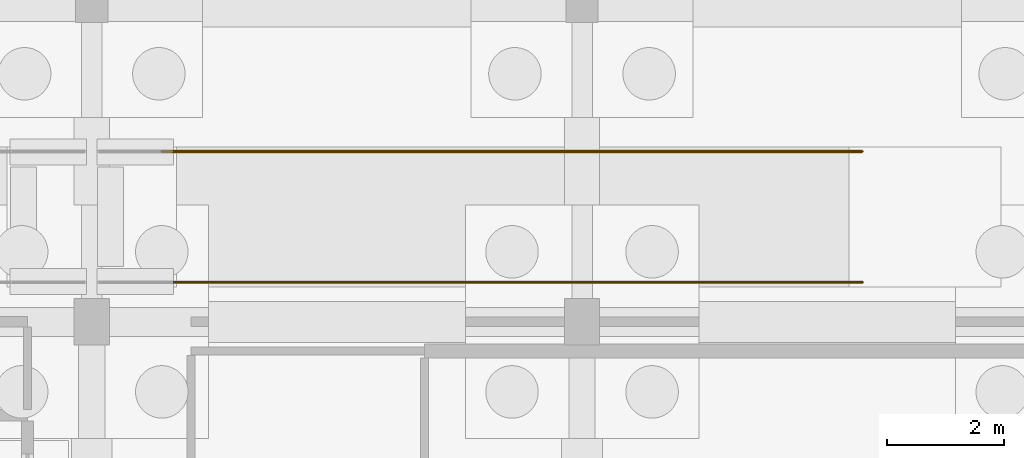
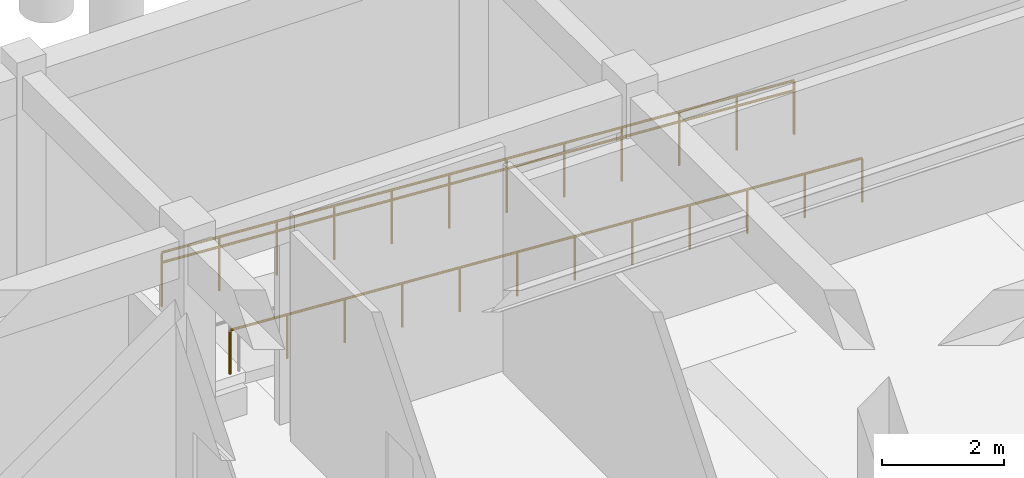
# One storey, part 47 of 49: 3 railings.
"""IFC4 building model written with IfcOpenShell, lengths in metres."""

import ifcopenshell
import ifcopenshell.guid

model = None  # the IFC model being written
_history = None  # IfcOwnerHistory: only IFC2X3 demands one
_inside = {}  # id of a spatial element -> (the spatial element, [elements in it])
_under = {}  # id of a project, library or spatial element -> (it, [spatial elements below it])
_declared = {}  # id of a project -> (the project, [libraries it declares])
_typed = {}  # id of a type object -> (the type object, [elements of that type])
_made_of = {}  # id of a material, layer set ... -> (it, [elements and type objects made of it])


def new_model(schema):
    """Start an empty IFC model of exactly this schema.

    Asked for "IFC4X3", IfcOpenShell would pick the latest addendum, in which some entities
    have other attributes; the version numbers below select the first issue.
    IFC2X3 requires an IfcOwnerHistory on every rooted entity: one is made here for all.
    """
    global model, _history
    if schema == "IFC4X3":
        model = ifcopenshell.file(schema_version=(4, 3, 0, 0))
    else:
        model = ifcopenshell.file(schema=schema)
    _inside.clear()
    _under.clear()
    _declared.clear()
    _typed.clear()
    _made_of.clear()
    _history = None
    if model.schema == "IFC2X3":
        org = make("IfcOrganization", Name="unknown")
        user = make(
            "IfcPersonAndOrganization",
            ThePerson=make("IfcPerson", FamilyName="unknown"),
            TheOrganization=org,
        )
        app = make(
            "IfcApplication",
            ApplicationDeveloper=org,
            Version="unknown",
            ApplicationFullName="unknown",
            ApplicationIdentifier="unknown",
        )
        _history = make(
            "IfcOwnerHistory",
            OwningUser=user,
            OwningApplication=app,
            ChangeAction="ADDED",
            CreationDate=0,
        )
    return model


def make(cls, **values):
    """One entity of the class cls with the attributes given. An attribute that is None is left unset."""
    return model.create_entity(
        cls, **{name: value for name, value in values.items() if value is not None}
    )


def rooted(cls, **values):
    """An entity with a GlobalId (a new one), such as an element, a storey or a relation."""
    return make(cls, GlobalId=ifcopenshell.guid.new(), OwnerHistory=_history, **values)


def si_unit(unit_type, name, prefix=None):
    """IfcSIUnit, for example si_unit("LENGTHUNIT", "METRE", prefix="MILLI")."""
    return make("IfcSIUnit", UnitType=unit_type, Prefix=prefix, Name=name)


def assignment(units):
    """IfcUnitAssignment: the units of a project."""
    return None if units is None else make("IfcUnitAssignment", Units=units)


def point(xyz):
    """IfcCartesianPoint."""
    return None if xyz is None else make("IfcCartesianPoint", Coordinates=xyz)


def direction(xyz):
    """IfcDirection."""
    return None if xyz is None else make("IfcDirection", DirectionRatios=xyz)


def frame(location, z_axis=None, x_axis=None):
    """IfcAxis2Placement3D, a coordinate frame: its origin and axes. An axis left out is left unset."""
    return make(
        "IfcAxis2Placement3D",
        Location=point(location),
        Axis=direction(z_axis),
        RefDirection=direction(x_axis),
    )


def frame_2d(location, x_axis=None):
    """IfcAxis2Placement2D, a coordinate frame in the plane: its origin and x axis."""
    return make(
        "IfcAxis2Placement2D", Location=point(location), RefDirection=direction(x_axis)
    )


def origin():
    """The frame at (0, 0, 0) with its axes left unset."""
    return frame((0.0, 0.0, 0.0))


def origin_2d():
    """The frame at (0, 0) in the plane with its x axis left unset."""
    return frame_2d((0.0, 0.0))


def place(relative_to, where):
    """IfcLocalPlacement: puts the frame where relative to a parent placement (None: the world)."""
    return make(
        "IfcLocalPlacement", PlacementRelTo=relative_to, RelativePlacement=where
    )


def context(
    kind, dimensions, precision=None, world=None, true_north=None, identifier=None
):
    """IfcGeometricRepresentationContext, for example the 3D "Model" context."""
    return make(
        "IfcGeometricRepresentationContext",
        ContextIdentifier=identifier,
        ContextType=kind,
        CoordinateSpaceDimension=dimensions,
        Precision=precision,
        WorldCoordinateSystem=world,
        TrueNorth=true_north,
    )


def subcontext(parent, identifier, kind, view, scale=None):
    """IfcGeometricRepresentationSubContext, for example "Body" below "Model"."""
    return make(
        "IfcGeometricRepresentationSubContext",
        ContextIdentifier=identifier,
        ContextType=kind,
        ParentContext=parent,
        TargetScale=scale,
        TargetView=view,
    )


def project(units=None, contexts=None):
    """IfcProject with its units and contexts."""
    return rooted(
        "IfcProject",
        Name="project",
        RepresentationContexts=contexts,
        UnitsInContext=assignment(units),
    )


def spatial(cls, under=None, at=None, **own):
    """A site, building, storey or space (cls), placed at a placement, below another one or the project."""
    s = rooted(cls, ObjectPlacement=at, **own)
    if under is not None:
        _under.setdefault(under.id(), (under, []))[1].append(s)
    return s


def profile(cls, at=None, kind="AREA", **sizes):
    """A parametric profile (cls). Its sizes go by their IFC names, for example OverallWidth=200.0."""
    return make(cls, ProfileType=kind, Position=at, **sizes)


def circle(**sizes):
    """IfcCircleProfileDef."""
    return profile("IfcCircleProfileDef", **sizes)


def extrude(swept, where, along, depth):
    """IfcExtrudedAreaSolid: the profile swept, set in the frame where, extruded along a direction by depth."""
    return make(
        "IfcExtrudedAreaSolid",
        SweptArea=swept,
        Position=where,
        ExtrudedDirection=direction(along),
        Depth=depth,
    )


def shape(context_of_items, identifier, shape_type, items):
    """IfcShapeRepresentation: the items that make up one representation, for example the "Body"."""
    return make(
        "IfcShapeRepresentation",
        ContextOfItems=context_of_items,
        RepresentationIdentifier=identifier,
        RepresentationType=shape_type,
        Items=items,
    )


def material(Name=None, Category=None):
    """IfcMaterial."""
    return make("IfcMaterial", Name=Name, Category=Category)


def made_of(thing, what):
    """Note that an element or type object is made of a material, layer set ...; save() writes the relation."""
    if what is not None:
        _made_of.setdefault(what.id(), (what, []))[1].append(thing)
    return thing


def type_object(cls, material=None, **own):
    """A type object (cls), such as IfcWallType, which elements share."""
    return made_of(rooted(cls, **own), material)


def element(
    cls,
    number,
    at=None,
    inside=None,
    cuts=None,
    type_object=None,
    material=None,
    context=None,
    identifier="Body",
    shape_type=None,
    held_by="IfcProductDefinitionShape",
    body=None,
    shapes=None,
    **own,
):
    """One element of the class cls, such as IfcWall. Its Tag is "e" and its number.

    at: its placement. inside: the storey or other place that contains it. cuts: it is an
    opening in that element (IfcRelVoidsElement). A single representation is given by context,
    identifier, shape_type and body (its items); several are given by shapes. held_by: the class
    of the entity that holds the representations. save() writes the other relations.
    """
    e = rooted(cls, Tag="e%d" % number, ObjectPlacement=at, **own)
    if body is not None:
        shapes = [shape(context, identifier, shape_type, body)]
    if shapes is not None:
        e.Representation = make(held_by, Representations=shapes)
    if inside is not None:
        _inside.setdefault(inside.id(), (inside, []))[1].append(e)
    if cuts is not None:
        rooted(
            "IfcRelVoidsElement", RelatingBuildingElement=cuts, RelatedOpeningElement=e
        )
    if type_object is not None:
        _typed.setdefault(type_object.id(), (type_object, []))[1].append(e)
    return made_of(e, material)


def aggregate(whole, parts):
    """IfcRelAggregates: a whole, such as a stair, and the parts it consists of."""
    return rooted("IfcRelAggregates", RelatingObject=whole, RelatedObjects=parts)


def save(model, path):
    """Write the relations noted so far, then the file.

    IfcRelAggregates (storeys below a building ...), IfcRelContainedInSpatialStructure (elements
    in a storey), IfcRelDefinesByType, IfcRelAssociatesMaterial and IfcRelDeclares: one each for
    every whole, place, type object, material and project.
    """
    for whole, parts in _under.values():
        aggregate(whole, parts)
    for where, things in _inside.values():
        rooted(
            "IfcRelContainedInSpatialStructure",
            RelatedElements=things,
            RelatingStructure=where,
        )
    for kind, things in _typed.values():
        rooted("IfcRelDefinesByType", RelatedObjects=things, RelatingType=kind)
    for what, things in _made_of.values():
        rooted("IfcRelAssociatesMaterial", RelatedObjects=things, RelatingMaterial=what)
    for by, libraries in _declared.values():
        rooted("IfcRelDeclares", RelatingContext=by, RelatedDefinitions=libraries)
    model.write(path)


model = new_model("IFC4")

# Units and contexts
model_context = context("Model", 3, precision=1e-05, world=origin(), true_north=direction((0.0, 1.0)))
body_context = subcontext(model_context, "Body", "Model", "MODEL_VIEW")
ifc_project = project(units=[si_unit("LENGTHUNIT", "METRE"), si_unit("AREAUNIT", "SQUARE_METRE"), si_unit("VOLUMEUNIT", "CUBIC_METRE"), si_unit("PLANEANGLEUNIT", "RADIAN"), si_unit("MASSUNIT", "GRAM", prefix="KILO")], contexts=[model_context])

# Site, building, storey
site_placement = place(None, origin())
site = spatial("IfcSite", under=ifc_project, at=site_placement, CompositionType="ELEMENT")
building_placement = place(site_placement, origin())
building = spatial("IfcBuilding", under=site, at=building_placement, Name="Krzemoval Escarpment Law Courts", CompositionType="ELEMENT")
storey_placement = place(building_placement, frame((0.0, 0.0, -4.800048828125)))
storey = spatial("IfcBuildingStorey", under=building, at=storey_placement, Name="B1", CompositionType="ELEMENT", Elevation=-4.800048828125)

# Railings
ifc_material_1 = material(Name="Galvanised Steel S355", Category="steel")
railing_type_1 = type_object("IfcRailingType", Name="RL-GRD-1100", PredefinedType="GUARDRAIL", material=ifc_material_1)
railing_1_placement = place(storey_placement, frame((118.800048828125, 38.320068359375, 0.75)))
element("IfcRailing", 1, at=railing_1_placement, inside=storey, type_object=railing_type_1, Name="Ramp Guardrail RG-B1-10", PredefinedType="GUARDRAIL", context=body_context, shape_type="SweptSolid", body=[
    extrude(circle(Radius=0.02392578125, at=origin_2d()), frame((0.0, 0.0, 1.076171875), z_axis=(0.998052578483, 0.0, -0.062378286155), x_axis=(0.0, 1.0, 0.0)), (0.0, 0.0, 1.0), 12.0234375),
    extrude(circle(Radius=0.02099609375, at=origin_2d()), origin(), (0.0, 0.0, 1.0), 1.052001953125),
    extrude(circle(Radius=0.02099609375, at=origin_2d()), frame((1.0908203125, 0.0, -0.068115234375)), (0.0, 0.0, 1.0), 1.052001953125),
    extrude(circle(Radius=0.02099609375, at=origin_2d()), frame((2.181884765625, 0.0, -0.136474609375)), (0.0, 0.0, 1.0), 1.052001953125),
    extrude(circle(Radius=0.02099609375, at=origin_2d()), frame((3.272705078125, 0.0, -0.20458984375)), (0.0, 0.0, 1.0), 1.052001953125),
    extrude(circle(Radius=0.02099609375, at=origin_2d()), frame((4.363525390625, 0.0, -0.272705078125)), (0.0, 0.0, 1.0), 1.052001953125),
    extrude(circle(Radius=0.02099609375, at=origin_2d()), frame((5.45458984375, 0.0, -0.3408203125)), (0.0, 0.0, 1.0), 1.052001953125),
    extrude(circle(Radius=0.02099609375, at=origin_2d()), frame((6.54541015625, 0.0, -0.4091796875)), (0.0, 0.0, 1.0), 1.052001953125),
    extrude(circle(Radius=0.02099609375, at=origin_2d()), frame((7.636474609375, 0.0, -0.477294921875)), (0.0, 0.0, 1.0), 1.052001953125),
    extrude(circle(Radius=0.02099609375, at=origin_2d()), frame((8.727294921875, 0.0, -0.54541015625)), (0.0, 0.0, 1.0), 1.052001953125),
    extrude(circle(Radius=0.02099609375, at=origin_2d()), frame((9.818115234375, 0.0, -0.613525390625)), (0.0, 0.0, 1.0), 1.052001953125),
    extrude(circle(Radius=0.02099609375, at=origin_2d()), frame((10.9091796875, 0.0, -0.681884765625)), (0.0, 0.0, 1.0), 1.052001953125),
    extrude(circle(Radius=0.02099609375, at=origin_2d()), frame((12.0, 0.0, -0.75)), (0.0, 0.0, 1.0), 1.052001953125),
])
ifc_material_2 = material(Name="Brushed Stainless Steel Grade 304 Handrail", Category="steel")
railing_type_2 = type_object("IfcRailingType", Name="RL-HND-900", PredefinedType="HANDRAIL", material=ifc_material_2)
railing_2_placement = place(storey_placement, frame((118.800048828125, 36.080078125, 0.75)))
element("IfcRailing", 2, at=railing_2_placement, inside=storey, type_object=railing_type_2, Name="Ramp Handrail RH-B1-09", PredefinedType="HANDRAIL", context=body_context, shape_type="SweptSolid", body=[
    extrude(circle(Radius=0.02392578125, at=origin_2d()), frame((0.0, 0.0, 0.8759765625), z_axis=(0.998052578483, 0.0, -0.062378286155), x_axis=(0.0, 1.0, 0.0)), (0.0, 0.0, 1.0), 12.0234375),
    extrude(circle(Radius=0.02099609375, at=origin_2d()), origin(), (0.0, 0.0, 1.0), 0.851806640625),
    extrude(circle(Radius=0.02099609375, at=origin_2d()), frame((1.0908203125, 0.0, -0.068115234375)), (0.0, 0.0, 1.0), 0.851806640625),
    extrude(circle(Radius=0.02099609375, at=origin_2d()), frame((2.181884765625, 0.0, -0.136474609375)), (0.0, 0.0, 1.0), 0.851806640625),
    extrude(circle(Radius=0.02099609375, at=origin_2d()), frame((3.272705078125, 0.0, -0.20458984375)), (0.0, 0.0, 1.0), 0.851806640625),
    extrude(circle(Radius=0.02099609375, at=origin_2d()), frame((4.363525390625, 0.0, -0.272705078125)), (0.0, 0.0, 1.0), 0.851806640625),
    extrude(circle(Radius=0.02099609375, at=origin_2d()), frame((5.45458984375, 0.0, -0.3408203125)), (0.0, 0.0, 1.0), 0.851806640625),
    extrude(circle(Radius=0.02099609375, at=origin_2d()), frame((6.54541015625, 0.0, -0.4091796875)), (0.0, 0.0, 1.0), 0.851806640625),
    extrude(circle(Radius=0.02099609375, at=origin_2d()), frame((7.636474609375, 0.0, -0.477294921875)), (0.0, 0.0, 1.0), 0.851806640625),
    extrude(circle(Radius=0.02099609375, at=origin_2d()), frame((8.727294921875, 0.0, -0.54541015625)), (0.0, 0.0, 1.0), 0.851806640625),
    extrude(circle(Radius=0.02099609375, at=origin_2d()), frame((9.818115234375, 0.0, -0.613525390625)), (0.0, 0.0, 1.0), 0.851806640625),
    extrude(circle(Radius=0.02099609375, at=origin_2d()), frame((10.9091796875, 0.0, -0.681884765625)), (0.0, 0.0, 1.0), 0.851806640625),
    extrude(circle(Radius=0.02099609375, at=origin_2d()), frame((12.0, 0.0, -0.75)), (0.0, 0.0, 1.0), 0.851806640625),
])
railing_3_placement = place(storey_placement, frame((118.800048828125, 38.320068359375, 0.75)))
element("IfcRailing", 3, at=railing_3_placement, inside=storey, type_object=railing_type_2, Name="Ramp Handrail RH-B1-10", PredefinedType="HANDRAIL", context=body_context, shape_type="SweptSolid", body=[
    extrude(circle(Radius=0.02392578125, at=origin_2d()), frame((0.0, 0.0, 0.8759765625), z_axis=(0.998052578483, 0.0, -0.062378286155), x_axis=(0.0, 1.0, 0.0)), (0.0, 0.0, 1.0), 12.0234375),
    extrude(circle(Radius=0.02099609375, at=origin_2d()), origin(), (0.0, 0.0, 1.0), 0.851806640625),
    extrude(circle(Radius=0.02099609375, at=origin_2d()), frame((1.0908203125, 0.0, -0.068115234375)), (0.0, 0.0, 1.0), 0.851806640625),
    extrude(circle(Radius=0.02099609375, at=origin_2d()), frame((2.181884765625, 0.0, -0.136474609375)), (0.0, 0.0, 1.0), 0.851806640625),
    extrude(circle(Radius=0.02099609375, at=origin_2d()), frame((3.272705078125, 0.0, -0.20458984375)), (0.0, 0.0, 1.0), 0.851806640625),
    extrude(circle(Radius=0.02099609375, at=origin_2d()), frame((4.363525390625, 0.0, -0.272705078125)), (0.0, 0.0, 1.0), 0.851806640625),
    extrude(circle(Radius=0.02099609375, at=origin_2d()), frame((5.45458984375, 0.0, -0.3408203125)), (0.0, 0.0, 1.0), 0.851806640625),
    extrude(circle(Radius=0.02099609375, at=origin_2d()), frame((6.54541015625, 0.0, -0.4091796875)), (0.0, 0.0, 1.0), 0.851806640625),
    extrude(circle(Radius=0.02099609375, at=origin_2d()), frame((7.636474609375, 0.0, -0.477294921875)), (0.0, 0.0, 1.0), 0.851806640625),
    extrude(circle(Radius=0.02099609375, at=origin_2d()), frame((8.727294921875, 0.0, -0.54541015625)), (0.0, 0.0, 1.0), 0.851806640625),
    extrude(circle(Radius=0.02099609375, at=origin_2d()), frame((9.818115234375, 0.0, -0.613525390625)), (0.0, 0.0, 1.0), 0.851806640625),
    extrude(circle(Radius=0.02099609375, at=origin_2d()), frame((10.9091796875, 0.0, -0.681884765625)), (0.0, 0.0, 1.0), 0.851806640625),
    extrude(circle(Radius=0.02099609375, at=origin_2d()), frame((12.0, 0.0, -0.75)), (0.0, 0.0, 1.0), 0.851806640625),
])

save(model, "model.ifc")
